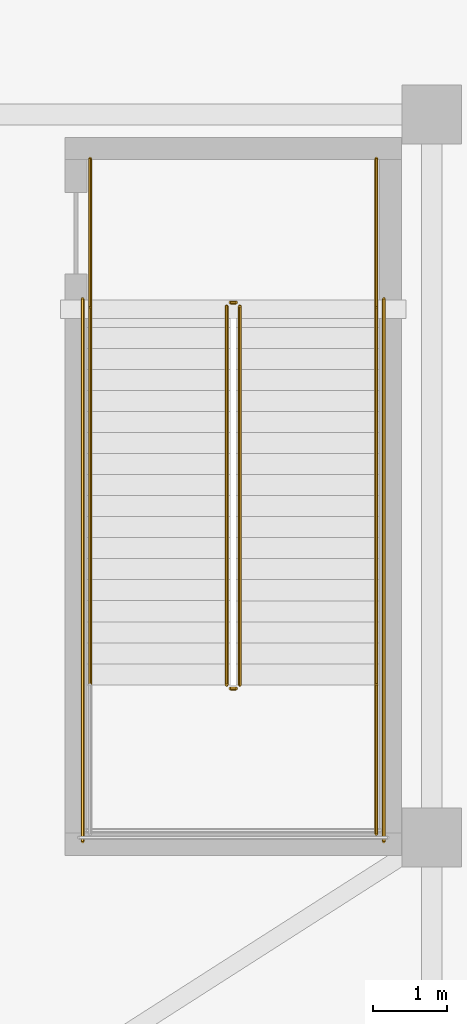
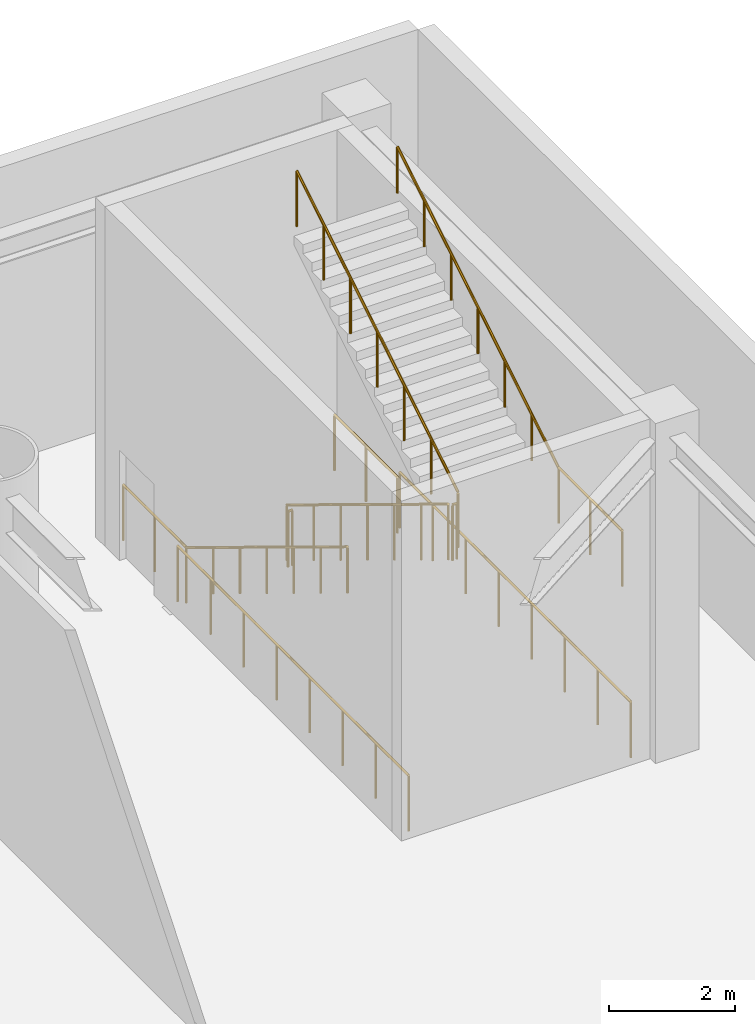
# One storey, part 16 of 16: 11 railings.
"""IFC4 building model written with IfcOpenShell, lengths in metres."""

from ifc_helpers import new_model, si_unit, direction, frame, origin, origin_2d, place, context, subcontext, project, spatial, circle, extrude, material, type_object, element, save


model = new_model("IFC4")

# Units and contexts
model_context = context("Model", 3, precision=1e-05, world=origin(), true_north=direction((0.0, 1.0)))
body_context = subcontext(model_context, "Body", "Model", "MODEL_VIEW")
ifc_project = project(units=[si_unit("LENGTHUNIT", "METRE"), si_unit("AREAUNIT", "SQUARE_METRE"), si_unit("VOLUMEUNIT", "CUBIC_METRE"), si_unit("PLANEANGLEUNIT", "RADIAN"), si_unit("MASSUNIT", "GRAM", prefix="KILO")], contexts=[model_context])

# Site, building, storey
site_placement = place(None, origin())
site = spatial("IfcSite", under=ifc_project, at=site_placement, CompositionType="ELEMENT")
building_placement = place(site_placement, origin())
building = spatial("IfcBuilding", under=site, at=building_placement, Name="Bramvorn Convention Spire", CompositionType="ELEMENT")
storey_placement = place(building_placement, frame((0.0, 0.0, 12.0)))
storey = spatial("IfcBuildingStorey", under=building, at=storey_placement, Name="L02", CompositionType="ELEMENT", Elevation=12.0)

# Railings
ifc_material_1 = material(Name="Painted Steel Balustrade & Guardrail", Category="steel")
railing_type_1 = type_object("IfcRailingType", Name="RL-STAIR-GUARD-1100", PredefinedType="GUARDRAIL", material=ifc_material_1)
railing_1_placement = place(storey_placement, frame((70.419921875, 46.800048828125, 0.173583984375)))
element("IfcRailing", 1, at=railing_1_placement, inside=storey, type_object=railing_type_1, Name="L02 ST5 stair guard 1", PredefinedType="GUARDRAIL", context=body_context, shape_type="SweptSolid", body=[
    extrude(circle(Radius=0.02392578125, at=origin_2d()), frame((0.0, 0.0, 1.076171875), z_axis=(0.0, -0.853919069452, 0.520405825127), x_axis=(1.0, 0.0, 0.0)), (0.0, 0.0, 1.0), 6.0078125),
    extrude(circle(Radius=0.02099609375, at=origin_2d()), origin(), (0.0, 0.0, 1.0), 1.052001953125),
    extrude(circle(Radius=0.02099609375, at=origin_2d()), frame((0.0, -0.85498046875, 0.52099609375)), (0.0, 0.0, 1.0), 1.052001953125),
    extrude(circle(Radius=0.02099609375, at=origin_2d()), frame((0.0, -1.7099609375, 1.042236328125)), (0.0, 0.0, 1.0), 1.052001953125),
    extrude(circle(Radius=0.02099609375, at=origin_2d()), frame((0.0, -2.56494140625, 1.563232421875)), (0.0, 0.0, 1.0), 1.052001953125),
    extrude(circle(Radius=0.02099609375, at=origin_2d()), frame((0.0, -3.420166015625, 2.084228515625)), (0.0, 0.0, 1.0), 1.052001953125),
    extrude(circle(Radius=0.02099609375, at=origin_2d()), frame((0.0, -4.275146484375, 2.60546875)), (0.0, 0.0, 1.0), 1.052001953125),
    extrude(circle(Radius=0.02099609375, at=origin_2d()), frame((0.0, -5.130126953125, 3.12646484375)), (0.0, 0.0, 1.0), 1.052001953125),
])
railing_2_placement = place(storey_placement, frame((70.469970703125, 41.6201171875, 3.300048828125)))
element("IfcRailing", 2, at=railing_2_placement, inside=storey, type_object=railing_type_1, Name="L02 ST5 stair guard 2", PredefinedType="GUARDRAIL", context=body_context, shape_type="SweptSolid", body=[
    extrude(circle(Radius=0.02392578125, at=origin_2d()), frame((0.0, 0.0, 1.076171875), z_axis=(1.0, 0.0, 0.0), x_axis=(0.0, 1.0, 0.0)), (0.0, 0.0, 1.0), 0.080078125),
    extrude(circle(Radius=0.02099609375, at=origin_2d()), origin(), (0.0, 0.0, 1.0), 1.052001953125),
    extrude(circle(Radius=0.02099609375, at=origin_2d()), frame((0.080078125, 0.0, 0.0)), (0.0, 0.0, 1.0), 1.052001953125),
])
railing_3_placement = place(storey_placement, frame((72.449951171875, 41.669921875, 3.300048828125)))
element("IfcRailing", 3, at=railing_3_placement, inside=storey, type_object=railing_type_1, Name="L02 ST5 stair guard 4", PredefinedType="GUARDRAIL", context=body_context, shape_type="SweptSolid", body=[
    extrude(circle(Radius=0.02392578125, at=origin_2d()), frame((0.0, 0.0, 1.076171875), z_axis=(0.0, -1.0, 0.0), x_axis=(1.0, 0.0, 0.0)), (0.0, 0.0, 1.0), 2.02001953125),
    extrude(circle(Radius=0.02099609375, at=origin_2d()), origin(), (0.0, 0.0, 1.0), 1.052001953125),
    extrude(circle(Radius=0.02099609375, at=origin_2d()), frame((0.0, -1.010009765625, 0.0)), (0.0, 0.0, 1.0), 1.052001953125),
    extrude(circle(Radius=0.02099609375, at=origin_2d()), frame((0.0, -2.02001953125, 0.0)), (0.0, 0.0, 1.0), 1.052001953125),
])
railing_4_placement = place(storey_placement, frame((70.60009765625, 41.669921875, 3.4736328125)))
element("IfcRailing", 4, at=railing_4_placement, inside=storey, type_object=railing_type_1, Name="L02 ST5 stair guard 6", PredefinedType="GUARDRAIL", context=body_context, shape_type="SweptSolid", body=[
    extrude(circle(Radius=0.02392578125, at=origin_2d()), frame((0.0, 0.0, 1.076171875), z_axis=(0.0, 0.853919069452, 0.520405825127), x_axis=(-1.0, 0.0, 0.0)), (0.0, 0.0, 1.0), 6.0078125),
    extrude(circle(Radius=0.02099609375, at=origin_2d()), origin(), (0.0, 0.0, 1.0), 1.052001953125),
    extrude(circle(Radius=0.02099609375, at=origin_2d()), frame((0.0, 0.85498046875, 0.52099609375)), (0.0, 0.0, 1.0), 1.052001953125),
    extrude(circle(Radius=0.02099609375, at=origin_2d()), frame((0.0, 1.7099609375, 1.042236328125)), (0.0, 0.0, 1.0), 1.052001953125),
    extrude(circle(Radius=0.02099609375, at=origin_2d()), frame((0.0, 2.56494140625, 1.563232421875)), (0.0, 0.0, 1.0), 1.052001953125),
    extrude(circle(Radius=0.02099609375, at=origin_2d()), frame((0.0, 3.420166015625, 2.084228515625)), (0.0, 0.0, 1.0), 1.052001953125),
    extrude(circle(Radius=0.02099609375, at=origin_2d()), frame((0.0, 4.275146484375, 2.60546875)), (0.0, 0.0, 1.0), 1.052001953125),
    extrude(circle(Radius=0.02099609375, at=origin_2d()), frame((0.0, 5.130126953125, 3.12646484375)), (0.0, 0.0, 1.0), 1.052001953125),
])
railing_5_placement = place(storey_placement, frame((70.469970703125, 46.85009765625, 0.0)))
element("IfcRailing", 5, at=railing_5_placement, inside=storey, type_object=railing_type_1, Name="L02 ST5 stair guard 7", PredefinedType="GUARDRAIL", context=body_context, shape_type="SweptSolid", body=[
    extrude(circle(Radius=0.02392578125, at=origin_2d()), frame((0.0, 0.0, 1.076171875), z_axis=(1.0, 0.0, 0.0), x_axis=(0.0, 1.0, 0.0)), (0.0, 0.0, 1.0), 0.080078125),
    extrude(circle(Radius=0.02099609375, at=origin_2d()), origin(), (0.0, 0.0, 1.0), 1.052001953125),
    extrude(circle(Radius=0.02099609375, at=origin_2d()), frame((0.080078125, 0.0, 0.0)), (0.0, 0.0, 1.0), 1.052001953125),
])
for number, where, name in (
    (6, (68.570068359375, 48.800048828125, 0.0), "L02 ST5 stair guard 8"),
    (7, (72.449951171875, 48.800048828125, 0.0), "L02 ST5 stair guard 9"),
):
    element("IfcRailing", number, at=place(storey_placement, frame(where)), inside=storey, type_object=railing_type_1, Name=name, PredefinedType="GUARDRAIL", context=body_context, shape_type="SweptSolid", body=[
        extrude(circle(Radius=0.02392578125, at=origin_2d()), frame((0.0, 0.0, 1.076171875), z_axis=(0.0, -1.0, 0.0), x_axis=(1.0, 0.0, 0.0)), (0.0, 0.0, 1.0), 2.0),
        extrude(circle(Radius=0.02099609375, at=origin_2d()), origin(), (0.0, 0.0, 1.0), 1.052001953125),
        extrude(circle(Radius=0.02099609375, at=origin_2d()), frame((0.0, -1.0, 0.0)), (0.0, 0.0, 1.0), 1.052001953125),
        extrude(circle(Radius=0.02099609375, at=origin_2d()), frame((0.0, -2.0, 0.0)), (0.0, 0.0, 1.0), 1.052001953125),
    ])
for number, where, name in (
    (8, (68.469970703125, 46.89990234375, 0.0), "L02 ST5 stair guard 10"),
    (9, (72.550048828125, 46.89990234375, 0.0), "L02 ST5 stair guard 11"),
):
    element("IfcRailing", number, at=place(storey_placement, frame(where)), inside=storey, type_object=railing_type_1, Name=name, PredefinedType="GUARDRAIL", context=body_context, shape_type="SweptSolid", body=[
        extrude(circle(Radius=0.02392578125, at=origin_2d()), frame((0.0, 0.0, 1.076171875), z_axis=(0.0, -1.0, 0.0), x_axis=(1.0, 0.0, 0.0)), (0.0, 0.0, 1.0), 7.349853515625),
        extrude(circle(Radius=0.02099609375, at=origin_2d()), origin(), (0.0, 0.0, 1.0), 1.052001953125),
        extrude(circle(Radius=0.02099609375, at=origin_2d()), frame((0.0, -1.050048828125, 0.0)), (0.0, 0.0, 1.0), 1.052001953125),
        extrude(circle(Radius=0.02099609375, at=origin_2d()), frame((0.0, -2.099853515625, 0.0)), (0.0, 0.0, 1.0), 1.052001953125),
        extrude(circle(Radius=0.02099609375, at=origin_2d()), frame((0.0, -3.14990234375, 0.0)), (0.0, 0.0, 1.0), 1.052001953125),
        extrude(circle(Radius=0.02099609375, at=origin_2d()), frame((0.0, -4.199951171875, 0.0)), (0.0, 0.0, 1.0), 1.052001953125),
        extrude(circle(Radius=0.02099609375, at=origin_2d()), frame((0.0, -5.25, 0.0)), (0.0, 0.0, 1.0), 1.052001953125),
        extrude(circle(Radius=0.02099609375, at=origin_2d()), frame((0.0, -6.2998046875, 0.0)), (0.0, 0.0, 1.0), 1.052001953125),
        extrude(circle(Radius=0.02099609375, at=origin_2d()), frame((0.0, -7.349853515625, 0.0)), (0.0, 0.0, 1.0), 1.052001953125),
    ])
ifc_material_2 = material(Name="Brushed Bronze Tubular Handrail", Category="aluminium")
railing_type_2 = type_object("IfcRailingType", Name="RL-STAIR-HR-920", PredefinedType="HANDRAIL", material=ifc_material_2)
railing_6_placement = place(storey_placement, frame((68.570068359375, 46.800048828125, 0.173583984375)))
element("IfcRailing", 10, at=railing_6_placement, inside=storey, type_object=railing_type_2, Name="L02 ST5 stair handrail 1", PredefinedType="HANDRAIL", context=body_context, shape_type="SweptSolid", body=[
    extrude(circle(Radius=0.02392578125, at=origin_2d()), frame((0.0, 0.0, 0.89599609375), z_axis=(0.0, -0.853919069452, 0.520405825127), x_axis=(1.0, 0.0, 0.0)), (0.0, 0.0, 1.0), 6.0078125),
    extrude(circle(Radius=0.02099609375, at=origin_2d()), origin(), (0.0, 0.0, 1.0), 0.871826171875),
    extrude(circle(Radius=0.02099609375, at=origin_2d()), frame((0.0, -0.85498046875, 0.52099609375)), (0.0, 0.0, 1.0), 0.871826171875),
    extrude(circle(Radius=0.02099609375, at=origin_2d()), frame((0.0, -1.7099609375, 1.042236328125)), (0.0, 0.0, 1.0), 0.871826171875),
    extrude(circle(Radius=0.02099609375, at=origin_2d()), frame((0.0, -2.56494140625, 1.563232421875)), (0.0, 0.0, 1.0), 0.871826171875),
    extrude(circle(Radius=0.02099609375, at=origin_2d()), frame((0.0, -3.420166015625, 2.084228515625)), (0.0, 0.0, 1.0), 0.871826171875),
    extrude(circle(Radius=0.02099609375, at=origin_2d()), frame((0.0, -4.275146484375, 2.60546875)), (0.0, 0.0, 1.0), 0.871826171875),
    extrude(circle(Radius=0.02099609375, at=origin_2d()), frame((0.0, -5.130126953125, 3.12646484375)), (0.0, 0.0, 1.0), 0.871826171875),
])
railing_7_placement = place(storey_placement, frame((72.449951171875, 41.669921875, 3.4736328125)))
element("IfcRailing", 11, at=railing_7_placement, inside=storey, type_object=railing_type_2, Name="L02 ST5 stair handrail 2", PredefinedType="HANDRAIL", context=body_context, shape_type="SweptSolid", body=[
    extrude(circle(Radius=0.02392578125, at=origin_2d()), frame((0.0, 0.0, 0.89599609375), z_axis=(0.0, 0.853919069452, 0.520405825127), x_axis=(-1.0, 0.0, 0.0)), (0.0, 0.0, 1.0), 6.0078125),
    extrude(circle(Radius=0.02099609375, at=origin_2d()), origin(), (0.0, 0.0, 1.0), 0.871826171875),
    extrude(circle(Radius=0.02099609375, at=origin_2d()), frame((0.0, 0.85498046875, 0.52099609375)), (0.0, 0.0, 1.0), 0.871826171875),
    extrude(circle(Radius=0.02099609375, at=origin_2d()), frame((0.0, 1.7099609375, 1.042236328125)), (0.0, 0.0, 1.0), 0.871826171875),
    extrude(circle(Radius=0.02099609375, at=origin_2d()), frame((0.0, 2.56494140625, 1.563232421875)), (0.0, 0.0, 1.0), 0.871826171875),
    extrude(circle(Radius=0.02099609375, at=origin_2d()), frame((0.0, 3.420166015625, 2.084228515625)), (0.0, 0.0, 1.0), 0.871826171875),
    extrude(circle(Radius=0.02099609375, at=origin_2d()), frame((0.0, 4.275146484375, 2.60546875)), (0.0, 0.0, 1.0), 0.871826171875),
    extrude(circle(Radius=0.02099609375, at=origin_2d()), frame((0.0, 5.130126953125, 3.12646484375)), (0.0, 0.0, 1.0), 0.871826171875),
])

save(model, "model.ifc")
